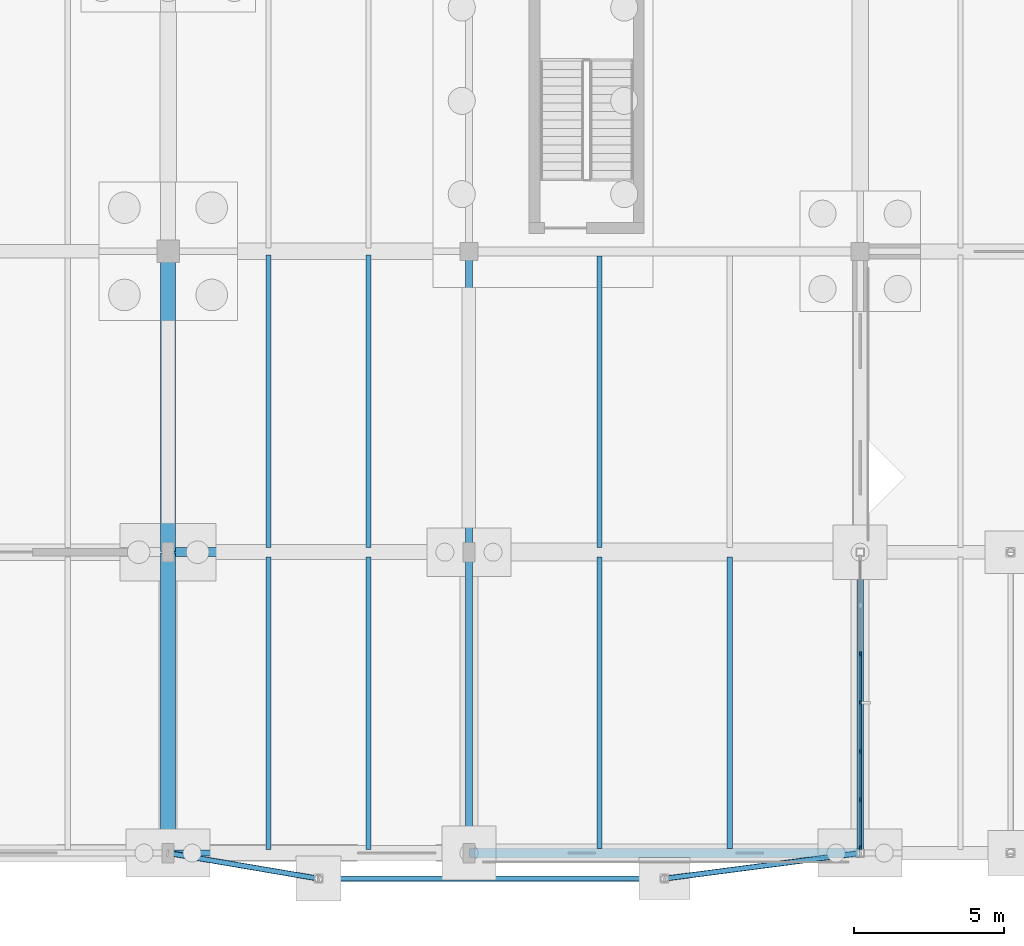
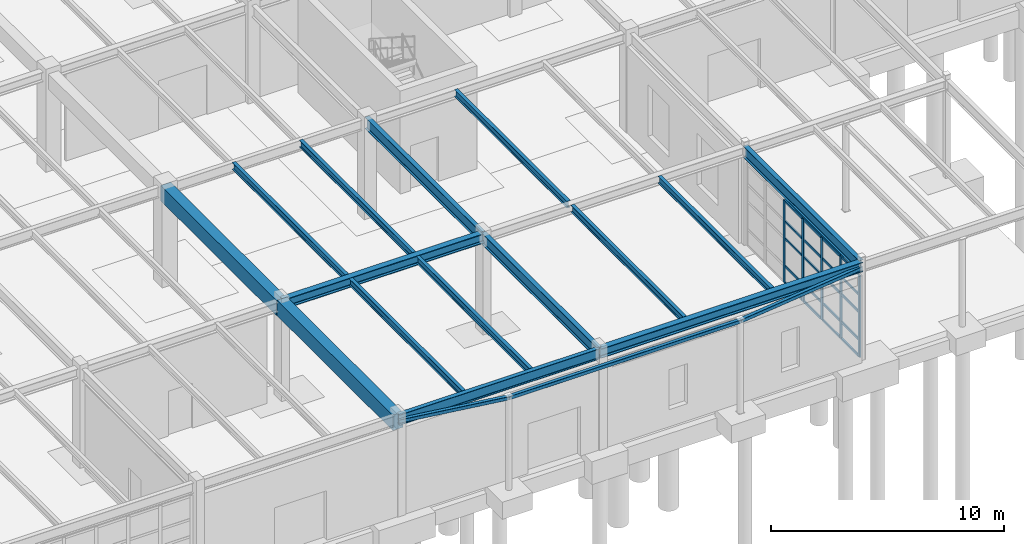
# One storey, part 34 of 145: 25 members, 18 beams, 1 element without a shape of its own.
"""IFC4 building model written with IfcOpenShell, lengths in metres."""

from ifc_helpers import new_model, si_unit, direction, frame, origin, origin_2d, place, context, subcontext, project, spatial, rectangle, hollow_rectangle, i_section, extrude, material, layer, layer_set, material_profile, profile_set, type_object, element, aggregate, save


model = new_model("IFC4")

# Units and contexts
model_context = context("Model", 3, precision=1e-05, world=origin(), true_north=direction((0.0, 1.0)))
body_context = subcontext(model_context, "Body", "Model", "MODEL_VIEW")
ifc_project = project(units=[si_unit("LENGTHUNIT", "METRE"), si_unit("AREAUNIT", "SQUARE_METRE"), si_unit("VOLUMEUNIT", "CUBIC_METRE"), si_unit("PLANEANGLEUNIT", "RADIAN"), si_unit("MASSUNIT", "GRAM", prefix="KILO"), si_unit("THERMODYNAMICTEMPERATUREUNIT", "KELVIN"), si_unit("POWERUNIT", "WATT")], contexts=[model_context])

# Site, building, storey
site_placement = place(None, origin())
site = spatial("IfcSite", under=ifc_project, at=site_placement, CompositionType="ELEMENT")
building_placement = place(site_placement, origin())
building = spatial("IfcBuilding", under=site, at=building_placement, Name="Korenveer Ferry Terminal", CompositionType="ELEMENT")
storey_placement = place(building_placement, origin())
storey = spatial("IfcBuildingStorey", under=building, at=storey_placement, Name="L00", CompositionType="ELEMENT", Elevation=0.0)

# Curtain wall, members
ifc_material_1 = material(Name="Unitised bronze-and-glass curtain wall", Category="glass")
ifc_layer = layer(ifc_material_1, 0.159912109375)
ifc_layer_set = layer_set([ifc_layer], Name="Unitised bronze-and-glass curtain wall")
curtain_wall_type = type_object("IfcCurtainWallType", Name="ENV-CW-25", PredefinedType="USERDEFINED", material=ifc_layer_set)
curtain_wall_placement = place(storey_placement, frame((53.0, 9.844970703125, 0.0)))
curtain_wall = element("IfcCurtainWall", 1, at=curtain_wall_placement, inside=storey, type_object=curtain_wall_type, Name="Lancet curtain wall CWX-L00-X53-53-Y0-10", ObjectType="UNITISED CURTAIN WALL", PredefinedType="USERDEFINED")
ifc_material_2 = material(Name="Anodised bronze aluminium", Category="aluminium")
ifc_material_profile_1 = material_profile(ifc_material_2, rectangle(XDim=0.06005859375, YDim=0.159912109375, at=origin_2d()), Name="ALU 60x160")
ifc_profile_set_1 = profile_set([ifc_material_profile_1], Name="Anodised bronze aluminium")
member_type_1 = type_object("IfcMemberType", Name="ENV-CWM-60X160", PredefinedType="MULLION", material=ifc_profile_set_1)
member_1_placement = place(storey_placement, frame((53.0, 6.614990234375, 0.0), z_axis=(0.0, 0.0, 1.0), x_axis=(1.0, 0.0, 0.0)))
member_1 = element("IfcMember", 2, at=member_1_placement, type_object=member_type_1, Name="CW-25 mullion 3", PredefinedType="MULLION", context=body_context, shape_type="SweptSolid", body=[
    extrude(rectangle(XDim=0.06005859375, YDim=0.159912109375, at=origin_2d()), origin(), (0.0, 0.0, 1.0), 4.330078125),
])
member_2_placement = place(storey_placement, frame((53.0, 5.0, 0.0), z_axis=(0.0, 0.0, 1.0), x_axis=(1.0, 0.0, 0.0)))
member_2 = element("IfcMember", 3, at=member_2_placement, type_object=member_type_1, Name="CW-25 mullion 4", PredefinedType="MULLION", context=body_context, shape_type="SweptSolid", body=[
    extrude(rectangle(XDim=0.06005859375, YDim=0.159912109375, at=origin_2d()), origin(), (0.0, 0.0, 1.0), 4.330078125),
])
member_3_placement = place(storey_placement, frame((53.0, 3.385009765625, 0.0), z_axis=(0.0, 0.0, 1.0), x_axis=(1.0, 0.0, 0.0)))
member_3 = element("IfcMember", 4, at=member_3_placement, type_object=member_type_1, Name="CW-25 mullion 5", PredefinedType="MULLION", context=body_context, shape_type="SweptSolid", body=[
    extrude(rectangle(XDim=0.06005859375, YDim=0.159912109375, at=origin_2d()), origin(), (0.0, 0.0, 1.0), 4.330078125),
])
member_4_placement = place(storey_placement, frame((53.0, 1.77001953125, 0.0), z_axis=(0.0, 0.0, 1.0), x_axis=(1.0, 0.0, 0.0)))
member_4 = element("IfcMember", 5, at=member_4_placement, type_object=member_type_1, Name="CW-25 mullion 6", PredefinedType="MULLION", context=body_context, shape_type="SweptSolid", body=[
    extrude(rectangle(XDim=0.06005859375, YDim=0.159912109375, at=origin_2d()), origin(), (0.0, 0.0, 1.0), 4.330078125),
])
member_5_placement = place(storey_placement, frame((53.0, 0.18505859375, 0.0), z_axis=(0.0, 0.0, 1.0), x_axis=(1.0, 0.0, 0.0)))
member_5 = element("IfcMember", 6, at=member_5_placement, type_object=member_type_1, Name="CW-25 mullion 7", PredefinedType="MULLION", context=body_context, shape_type="SweptSolid", body=[
    extrude(rectangle(XDim=0.06005859375, YDim=0.159912109375, at=origin_2d()), origin(), (0.0, 0.0, 1.0), 4.330078125),
])
ifc_material_profile_2 = material_profile(ifc_material_2, rectangle(XDim=0.06005859375, YDim=0.1201171875, at=origin_2d()), Name="ALU 60x120")
ifc_profile_set_2 = profile_set([ifc_material_profile_2], Name="Anodised bronze aluminium")
member_type_2 = type_object("IfcMemberType", Name="ENV-CWT-60X120", PredefinedType="USERDEFINED", material=ifc_profile_set_2)
member_6_placement = place(storey_placement, frame((53.0, 6.5849609375, 0.030029296875), z_axis=(0.0, -1.0, 0.0), x_axis=(1.0, 0.0, 0.0)))
member_6 = element("IfcMember", 7, at=member_6_placement, type_object=member_type_2, Name="CW-25 transom 3.1", ObjectType="TRANSOM", PredefinedType="USERDEFINED", context=body_context, shape_type="SweptSolid", body=[
    extrude(rectangle(XDim=0.06005859375, YDim=0.1201171875, at=origin_2d()), origin(), (0.0, 0.0, 1.0), 1.554931640625),
])
member_7_placement = place(storey_placement, frame((53.0, 6.5849609375, 0.89990234375), z_axis=(0.0, -1.0, 0.0), x_axis=(1.0, 0.0, 0.0)))
member_7 = element("IfcMember", 8, at=member_7_placement, type_object=member_type_2, Name="CW-25 transom 3.2", ObjectType="TRANSOM", PredefinedType="USERDEFINED", context=body_context, shape_type="SweptSolid", body=[
    extrude(rectangle(XDim=0.06005859375, YDim=0.1201171875, at=origin_2d()), origin(), (0.0, 0.0, 1.0), 1.554931640625),
])
member_8_placement = place(storey_placement, frame((53.0, 6.5849609375, 2.35009765625), z_axis=(0.0, -1.0, 0.0), x_axis=(1.0, 0.0, 0.0)))
member_8 = element("IfcMember", 9, at=member_8_placement, type_object=member_type_2, Name="CW-25 transom 3.3", ObjectType="TRANSOM", PredefinedType="USERDEFINED", context=body_context, shape_type="SweptSolid", body=[
    extrude(rectangle(XDim=0.06005859375, YDim=0.1201171875, at=origin_2d()), origin(), (0.0, 0.0, 1.0), 1.554931640625),
])
member_9_placement = place(storey_placement, frame((53.0, 6.5849609375, 3.25), z_axis=(0.0, -1.0, 0.0), x_axis=(1.0, 0.0, 0.0)))
member_9 = element("IfcMember", 10, at=member_9_placement, type_object=member_type_2, Name="CW-25 transom 3.4", ObjectType="TRANSOM", PredefinedType="USERDEFINED", context=body_context, shape_type="SweptSolid", body=[
    extrude(rectangle(XDim=0.06005859375, YDim=0.1201171875, at=origin_2d()), origin(), (0.0, 0.0, 1.0), 1.554931640625),
])
member_10_placement = place(storey_placement, frame((53.0, 6.5849609375, 4.300048828125), z_axis=(0.0, -1.0, 0.0), x_axis=(1.0, 0.0, 0.0)))
member_10 = element("IfcMember", 11, at=member_10_placement, type_object=member_type_2, Name="CW-25 transom 3.5", ObjectType="TRANSOM", PredefinedType="USERDEFINED", context=body_context, shape_type="SweptSolid", body=[
    extrude(rectangle(XDim=0.06005859375, YDim=0.1201171875, at=origin_2d()), origin(), (0.0, 0.0, 1.0), 1.554931640625),
])
member_11_placement = place(storey_placement, frame((53.0, 4.969970703125, 0.030029296875), z_axis=(0.0, -1.0, 0.0), x_axis=(1.0, 0.0, 0.0)))
member_11 = element("IfcMember", 12, at=member_11_placement, type_object=member_type_2, Name="CW-25 transom 4.1", ObjectType="TRANSOM", PredefinedType="USERDEFINED", context=body_context, shape_type="SweptSolid", body=[
    extrude(rectangle(XDim=0.06005859375, YDim=0.1201171875, at=origin_2d()), origin(), (0.0, 0.0, 1.0), 1.554931640625),
])
member_12_placement = place(storey_placement, frame((53.0, 4.969970703125, 0.89990234375), z_axis=(0.0, -1.0, 0.0), x_axis=(1.0, 0.0, 0.0)))
member_12 = element("IfcMember", 13, at=member_12_placement, type_object=member_type_2, Name="CW-25 transom 4.2", ObjectType="TRANSOM", PredefinedType="USERDEFINED", context=body_context, shape_type="SweptSolid", body=[
    extrude(rectangle(XDim=0.06005859375, YDim=0.1201171875, at=origin_2d()), origin(), (0.0, 0.0, 1.0), 1.554931640625),
])
member_13_placement = place(storey_placement, frame((53.0, 4.969970703125, 2.35009765625), z_axis=(0.0, -1.0, 0.0), x_axis=(1.0, 0.0, 0.0)))
member_13 = element("IfcMember", 14, at=member_13_placement, type_object=member_type_2, Name="CW-25 transom 4.3", ObjectType="TRANSOM", PredefinedType="USERDEFINED", context=body_context, shape_type="SweptSolid", body=[
    extrude(rectangle(XDim=0.06005859375, YDim=0.1201171875, at=origin_2d()), origin(), (0.0, 0.0, 1.0), 1.554931640625),
])
member_14_placement = place(storey_placement, frame((53.0, 4.969970703125, 3.25), z_axis=(0.0, -1.0, 0.0), x_axis=(1.0, 0.0, 0.0)))
member_14 = element("IfcMember", 15, at=member_14_placement, type_object=member_type_2, Name="CW-25 transom 4.4", ObjectType="TRANSOM", PredefinedType="USERDEFINED", context=body_context, shape_type="SweptSolid", body=[
    extrude(rectangle(XDim=0.06005859375, YDim=0.1201171875, at=origin_2d()), origin(), (0.0, 0.0, 1.0), 1.554931640625),
])
member_15_placement = place(storey_placement, frame((53.0, 4.969970703125, 4.300048828125), z_axis=(0.0, -1.0, 0.0), x_axis=(1.0, 0.0, 0.0)))
member_15 = element("IfcMember", 16, at=member_15_placement, type_object=member_type_2, Name="CW-25 transom 4.5", ObjectType="TRANSOM", PredefinedType="USERDEFINED", context=body_context, shape_type="SweptSolid", body=[
    extrude(rectangle(XDim=0.06005859375, YDim=0.1201171875, at=origin_2d()), origin(), (0.0, 0.0, 1.0), 1.554931640625),
])
member_16_placement = place(storey_placement, frame((53.0, 3.35498046875, 0.030029296875), z_axis=(0.0, -1.0, 0.0), x_axis=(1.0, 0.0, 0.0)))
member_16 = element("IfcMember", 17, at=member_16_placement, type_object=member_type_2, Name="CW-25 transom 5.1", ObjectType="TRANSOM", PredefinedType="USERDEFINED", context=body_context, shape_type="SweptSolid", body=[
    extrude(rectangle(XDim=0.06005859375, YDim=0.1201171875, at=origin_2d()), origin(), (0.0, 0.0, 1.0), 1.554931640625),
])
member_17_placement = place(storey_placement, frame((53.0, 3.35498046875, 0.89990234375), z_axis=(0.0, -1.0, 0.0), x_axis=(1.0, 0.0, 0.0)))
member_17 = element("IfcMember", 18, at=member_17_placement, type_object=member_type_2, Name="CW-25 transom 5.2", ObjectType="TRANSOM", PredefinedType="USERDEFINED", context=body_context, shape_type="SweptSolid", body=[
    extrude(rectangle(XDim=0.06005859375, YDim=0.1201171875, at=origin_2d()), origin(), (0.0, 0.0, 1.0), 1.554931640625),
])
member_18_placement = place(storey_placement, frame((53.0, 3.35498046875, 2.35009765625), z_axis=(0.0, -1.0, 0.0), x_axis=(1.0, 0.0, 0.0)))
member_18 = element("IfcMember", 19, at=member_18_placement, type_object=member_type_2, Name="CW-25 transom 5.3", ObjectType="TRANSOM", PredefinedType="USERDEFINED", context=body_context, shape_type="SweptSolid", body=[
    extrude(rectangle(XDim=0.06005859375, YDim=0.1201171875, at=origin_2d()), origin(), (0.0, 0.0, 1.0), 1.554931640625),
])
member_19_placement = place(storey_placement, frame((53.0, 3.35498046875, 3.25), z_axis=(0.0, -1.0, 0.0), x_axis=(1.0, 0.0, 0.0)))
member_19 = element("IfcMember", 20, at=member_19_placement, type_object=member_type_2, Name="CW-25 transom 5.4", ObjectType="TRANSOM", PredefinedType="USERDEFINED", context=body_context, shape_type="SweptSolid", body=[
    extrude(rectangle(XDim=0.06005859375, YDim=0.1201171875, at=origin_2d()), origin(), (0.0, 0.0, 1.0), 1.554931640625),
])
member_20_placement = place(storey_placement, frame((53.0, 3.35498046875, 4.300048828125), z_axis=(0.0, -1.0, 0.0), x_axis=(1.0, 0.0, 0.0)))
member_20 = element("IfcMember", 21, at=member_20_placement, type_object=member_type_2, Name="CW-25 transom 5.5", ObjectType="TRANSOM", PredefinedType="USERDEFINED", context=body_context, shape_type="SweptSolid", body=[
    extrude(rectangle(XDim=0.06005859375, YDim=0.1201171875, at=origin_2d()), origin(), (0.0, 0.0, 1.0), 1.554931640625),
])
member_21_placement = place(storey_placement, frame((53.0, 1.739990234375, 0.030029296875), z_axis=(0.0, -1.0, 0.0), x_axis=(1.0, 0.0, 0.0)))
member_21 = element("IfcMember", 22, at=member_21_placement, type_object=member_type_2, Name="CW-25 transom 6.1", ObjectType="TRANSOM", PredefinedType="USERDEFINED", context=body_context, shape_type="SweptSolid", body=[
    extrude(rectangle(XDim=0.06005859375, YDim=0.1201171875, at=origin_2d()), origin(), (0.0, 0.0, 1.0), 1.52490234375),
])
member_22_placement = place(storey_placement, frame((53.0, 1.739990234375, 0.89990234375), z_axis=(0.0, -1.0, 0.0), x_axis=(1.0, 0.0, 0.0)))
member_22 = element("IfcMember", 23, at=member_22_placement, type_object=member_type_2, Name="CW-25 transom 6.2", ObjectType="TRANSOM", PredefinedType="USERDEFINED", context=body_context, shape_type="SweptSolid", body=[
    extrude(rectangle(XDim=0.06005859375, YDim=0.1201171875, at=origin_2d()), origin(), (0.0, 0.0, 1.0), 1.52490234375),
])
member_23_placement = place(storey_placement, frame((53.0, 1.739990234375, 2.35009765625), z_axis=(0.0, -1.0, 0.0), x_axis=(1.0, 0.0, 0.0)))
member_23 = element("IfcMember", 24, at=member_23_placement, type_object=member_type_2, Name="CW-25 transom 6.3", ObjectType="TRANSOM", PredefinedType="USERDEFINED", context=body_context, shape_type="SweptSolid", body=[
    extrude(rectangle(XDim=0.06005859375, YDim=0.1201171875, at=origin_2d()), origin(), (0.0, 0.0, 1.0), 1.52490234375),
])
member_24_placement = place(storey_placement, frame((53.0, 1.739990234375, 3.25), z_axis=(0.0, -1.0, 0.0), x_axis=(1.0, 0.0, 0.0)))
member_24 = element("IfcMember", 25, at=member_24_placement, type_object=member_type_2, Name="CW-25 transom 6.4", ObjectType="TRANSOM", PredefinedType="USERDEFINED", context=body_context, shape_type="SweptSolid", body=[
    extrude(rectangle(XDim=0.06005859375, YDim=0.1201171875, at=origin_2d()), origin(), (0.0, 0.0, 1.0), 1.52490234375),
])
member_25_placement = place(storey_placement, frame((53.0, 1.739990234375, 4.300048828125), z_axis=(0.0, -1.0, 0.0), x_axis=(1.0, 0.0, 0.0)))
member_25 = element("IfcMember", 26, at=member_25_placement, type_object=member_type_2, Name="CW-25 transom 6.5", ObjectType="TRANSOM", PredefinedType="USERDEFINED", context=body_context, shape_type="SweptSolid", body=[
    extrude(rectangle(XDim=0.06005859375, YDim=0.1201171875, at=origin_2d()), origin(), (0.0, 0.0, 1.0), 1.52490234375),
])
aggregate(curtain_wall, [member_1, member_2, member_3, member_4, member_5, member_6, member_7, member_8, member_9, member_10, member_11, member_12, member_13, member_14, member_15, member_16, member_17, member_18, member_19, member_20, member_21, member_22, member_23, member_24, member_25])

# Beams
ifc_material_3 = material(Name="Steel S355", Category="steel")
ifc_material_profile_3 = material_profile(ifc_material_3, i_section(OverallWidth=0.300048828125, OverallDepth=0.5, WebThickness=0.014404296875, FlangeThickness=0.028076171875, FilletRadius=0.027099609375, at=origin_2d()), Name="HEB 500")
ifc_profile_set_3 = profile_set([ifc_material_profile_3], Name="Steel S355")
beam_type_1 = type_object("IfcBeamType", Name="STR-BM-HEB500", PredefinedType="BEAM", material=ifc_profile_set_3)
beam_1_placement = place(storey_placement, frame((40.02001953125, 0.0, 4.909912109375), z_axis=(1.0, 0.0, 0.0), x_axis=(0.0, 1.0, 0.0)))
element("IfcBeam", 27, at=beam_1_placement, inside=storey, type_object=beam_type_1, Name="Primary X girder BMX-L01-X40-53-Y0", PredefinedType="BEAM", context=body_context, shape_type="SweptSolid", body=[
    extrude(i_section(OverallWidth=0.300048828125, OverallDepth=0.5, WebThickness=0.014404296875, FlangeThickness=0.028076171875, FilletRadius=0.027099609375, at=origin_2d()), origin(), (0.0, 0.0, 1.0), 12.9599609375),
])
beam_2_placement = place(storey_placement, frame((30.02001953125, 10.0, 4.909912109375), z_axis=(1.0, 0.0, 0.0), x_axis=(0.0, 1.0, 0.0)))
element("IfcBeam", 28, at=beam_2_placement, inside=storey, type_object=beam_type_1, Name="Primary X girder BMX-L01-X30-40-Y10", PredefinedType="BEAM", context=body_context, shape_type="SweptSolid", body=[
    extrude(i_section(OverallWidth=0.300048828125, OverallDepth=0.5, WebThickness=0.014404296875, FlangeThickness=0.028076171875, FilletRadius=0.027099609375, at=origin_2d()), origin(), (0.0, 0.0, 1.0), 9.9599609375),
])
ifc_material_profile_4 = material_profile(ifc_material_3, i_section(OverallWidth=0.2099609375, OverallDepth=0.550048828125, WebThickness=0.010986328125, FlangeThickness=0.01708984375, FilletRadius=0.02392578125, at=origin_2d()), Name="IPE 550")
ifc_profile_set_4 = profile_set([ifc_material_profile_4], Name="Steel S355")
beam_type_2 = type_object("IfcBeamType", Name="STR-BM-IPE550", PredefinedType="BEAM", material=ifc_profile_set_4)
beam_3_placement = place(storey_placement, frame((30.02001953125, 0.0, 4.885009765625), z_axis=(1.0, 0.0, 0.0), x_axis=(0.0, 1.0, 0.0)))
element("IfcBeam", 29, at=beam_3_placement, inside=storey, type_object=beam_type_2, Name="Primary X girder BMX-L01-X30-40-Y0", PredefinedType="BEAM", context=body_context, shape_type="SweptSolid", body=[
    extrude(i_section(OverallWidth=0.2099609375, OverallDepth=0.550048828125, WebThickness=0.010986328125, FlangeThickness=0.01708984375, FilletRadius=0.02392578125, at=origin_2d()), origin(), (0.0, 0.0, 1.0), 9.9599609375),
])
ifc_material_profile_5 = material_profile(ifc_material_3, i_section(OverallWidth=0.219970703125, OverallDepth=0.60009765625, WebThickness=0.011962890625, FlangeThickness=0.01904296875, FilletRadius=0.02392578125, at=origin_2d()), Name="IPE 600")
ifc_profile_set_5 = profile_set([ifc_material_profile_5], Name="Steel S355")
beam_type_3 = type_object("IfcBeamType", Name="STR-BM-IPE600", PredefinedType="BEAM", material=ifc_profile_set_5)
for number, where, z_axis, x_axis, name in (
    (30, (40.0, 0.02001953125, 4.860107421875), (0.0, 1.0, 0.0), (-1.0, 0.0, 0.0), "Primary Y girder BMY-L01-X40-Y0-10"),
    (31, (40.0, 10.02001953125, 4.860107421875), (0.0, 1.0, 0.0), (-1.0, 0.0, 0.0), "Primary Y girder BMY-L01-X40-Y10-20"),
    (32, (53.0, 0.02001953125, 4.860107421875), (0.0, 1.0, 0.0), (-1.0, 0.0, 0.0), "Primary Y girder BMY-L01-X53-Y0-10"),
):
    element("IfcBeam", number, at=place(storey_placement, frame(where, z_axis=z_axis, x_axis=x_axis)), inside=storey, type_object=beam_type_3, Name=name, PredefinedType="BEAM", context=body_context, shape_type="SweptSolid", body=[
        extrude(i_section(OverallWidth=0.219970703125, OverallDepth=0.60009765625, WebThickness=0.011962890625, FlangeThickness=0.01904296875, FilletRadius=0.02392578125, at=origin_2d()), origin(), (0.0, 0.0, 1.0), 9.9599609375),
    ])
ifc_material_4 = material(Name="Concrete C40/50", Category="concrete")
ifc_material_profile_6 = material_profile(ifc_material_4, rectangle(XDim=0.5, YDim=0.800048828125, at=origin_2d()), Name="RC 500x800")
ifc_profile_set_6 = profile_set([ifc_material_profile_6], Name="Concrete C40/50")
beam_type_4 = type_object("IfcBeamType", Name="STR-BM-RC500X800", PredefinedType="BEAM", material=ifc_profile_set_6)
for number, where, z_axis, x_axis, name in (
    (33, (30.0, 0.02001953125, 4.760009765625), (0.0, 1.0, 0.0), (-1.0, 0.0, 0.0), "Primary Y girder BMY-L01-X30-Y0-10"),
    (34, (30.0, 10.02001953125, 4.719970703125), (0.0, 1.0, 0.0), (-1.0, 0.0, 0.0), "Primary Y girder BMY-L01-X30-Y10-20"),
):
    element("IfcBeam", number, at=place(storey_placement, frame(where, z_axis=z_axis, x_axis=x_axis)), inside=storey, type_object=beam_type_4, Name=name, PredefinedType="BEAM", context=body_context, shape_type="SweptSolid", body=[
        extrude(rectangle(XDim=0.5, YDim=0.800048828125, at=origin_2d()), origin(), (0.0, 0.0, 1.0), 9.9599609375),
    ])
ifc_material_profile_7 = material_profile(ifc_material_3, i_section(OverallWidth=0.169921875, OverallDepth=0.360107421875, WebThickness=0.008056640625, FlangeThickness=0.0126953125, FilletRadius=0.01806640625, at=origin_2d()), Name="IPE 360")
ifc_profile_set_7 = profile_set([ifc_material_profile_7], Name="Steel S355")
beam_type_5 = type_object("IfcBeamType", Name="STR-JST-IPE360", PredefinedType="JOIST", material=ifc_profile_set_7)
for number, where, z_axis, x_axis, name in (
    (35, (33.333251953125, 0.114990234375, 4.97998046875), (0.0, 1.0, 0.0), (-1.0, 0.0, 0.0), "Secondary composite joist JST-L01-X333-Y0-10"),
    (36, (36.666748046875, 0.114990234375, 4.97998046875), (0.0, 1.0, 0.0), (-1.0, 0.0, 0.0), "Secondary composite joist JST-L01-X367-Y0-10"),
    (37, (33.333251953125, 10.159912109375, 4.97998046875), (0.0, 1.0, 0.0), (-1.0, 0.0, 0.0), "Secondary composite joist JST-L01-X333-Y10-20"),
    (38, (36.666748046875, 10.159912109375, 4.97998046875), (0.0, 1.0, 0.0), (-1.0, 0.0, 0.0), "Secondary composite joist JST-L01-X367-Y10-20"),
):
    element("IfcBeam", number, at=place(storey_placement, frame(where, z_axis=z_axis, x_axis=x_axis)), inside=storey, type_object=beam_type_5, Name=name, PredefinedType="JOIST", context=body_context, shape_type="SweptSolid", body=[
        extrude(i_section(OverallWidth=0.169921875, OverallDepth=0.360107421875, WebThickness=0.008056640625, FlangeThickness=0.0126953125, FilletRadius=0.01806640625, at=origin_2d()), origin(), (0.0, 0.0, 1.0), 9.72509765625),
    ])
for number, where, z_axis, x_axis, name in (
    (39, (44.333251953125, 0.159912109375, 4.97998046875), (0.0, 1.0, 0.0), (-1.0, 0.0, 0.0), "Secondary composite joist JST-L01-X443-Y0-10"),
    (40, (48.666748046875, 0.159912109375, 4.97998046875), (0.0, 1.0, 0.0), (-1.0, 0.0, 0.0), "Secondary composite joist JST-L01-X487-Y0-10"),
    (41, (44.333251953125, 10.159912109375, 4.97998046875), (0.0, 1.0, 0.0), (-1.0, 0.0, 0.0), "Secondary composite joist JST-L01-X443-Y10-20"),
):
    element("IfcBeam", number, at=place(storey_placement, frame(where, z_axis=z_axis, x_axis=x_axis)), inside=storey, type_object=beam_type_5, Name=name, PredefinedType="JOIST", context=body_context, shape_type="SweptSolid", body=[
        extrude(i_section(OverallWidth=0.169921875, OverallDepth=0.360107421875, WebThickness=0.008056640625, FlangeThickness=0.0126953125, FilletRadius=0.01806640625, at=origin_2d()), origin(), (0.0, 0.0, 1.0), 9.68017578125),
    ])
ifc_material_profile_8 = material_profile(ifc_material_3, hollow_rectangle(XDim=0.179931640625, YDim=0.179931640625, WallThickness=0.010009765625, InnerFilletRadius=0.010009765625, OuterFilletRadius=0.014892578125, at=origin_2d()), Name="SHS 180x180x10")
ifc_profile_set_8 = profile_set([ifc_material_profile_8], Name="Steel S355")
beam_type_6 = type_object("IfcBeamType", Name="STR-LNT-SHS180", PredefinedType="LINTEL", material=ifc_profile_set_8)
beam_4_placement = place(storey_placement, frame((35.0, -0.85009765625, 4.800048828125), z_axis=(1.0, 0.0, 0.0), x_axis=(0.0, 1.0, 0.0)))
element("IfcBeam", 42, at=beam_4_placement, inside=storey, type_object=beam_type_6, Name="Forecourt arcade lintel LNT-FCPAIR-01", PredefinedType="LINTEL", context=body_context, shape_type="SweptSolid", body=[
    extrude(hollow_rectangle(XDim=0.179931640625, YDim=0.179931640625, WallThickness=0.010009765625, InnerFilletRadius=0.010009765625, OuterFilletRadius=0.014892578125, at=origin_2d()), origin(), (0.0, 0.0, 1.0), 11.5),
])
beam_5_placement = place(storey_placement, frame((30.0, 0.0, 4.800048828125), z_axis=(0.985852665096, -0.167614208001, 0.0), x_axis=(0.167614208001, 0.985852665096, 0.0)))
element("IfcBeam", 43, at=beam_5_placement, inside=storey, type_object=beam_type_6, Name="Forecourt tie beam LNT-FCTIE-01A", PredefinedType="LINTEL", context=body_context, shape_type="SweptSolid", body=[
    extrude(hollow_rectangle(XDim=0.179931640625, YDim=0.179931640625, WallThickness=0.010009765625, InnerFilletRadius=0.010009765625, OuterFilletRadius=0.014892578125, at=origin_2d()), origin(), (0.0, 0.0, 1.0), 5.07177734375),
])
beam_6_placement = place(storey_placement, frame((53.0, 0.0, 4.800048828125), z_axis=(-0.991555910335, -0.129679900833, 0.0), x_axis=(0.129679900833, -0.991555910335, 0.0)))
element("IfcBeam", 44, at=beam_6_placement, inside=storey, type_object=beam_type_6, Name="Forecourt tie beam LNT-FCTIE-01B", PredefinedType="LINTEL", context=body_context, shape_type="SweptSolid", body=[
    extrude(hollow_rectangle(XDim=0.179931640625, YDim=0.179931640625, WallThickness=0.010009765625, InnerFilletRadius=0.010009765625, OuterFilletRadius=0.014892578125, at=origin_2d()), origin(), (0.0, 0.0, 1.0), 6.555419921875),
])

save(model, "model.ifc")
